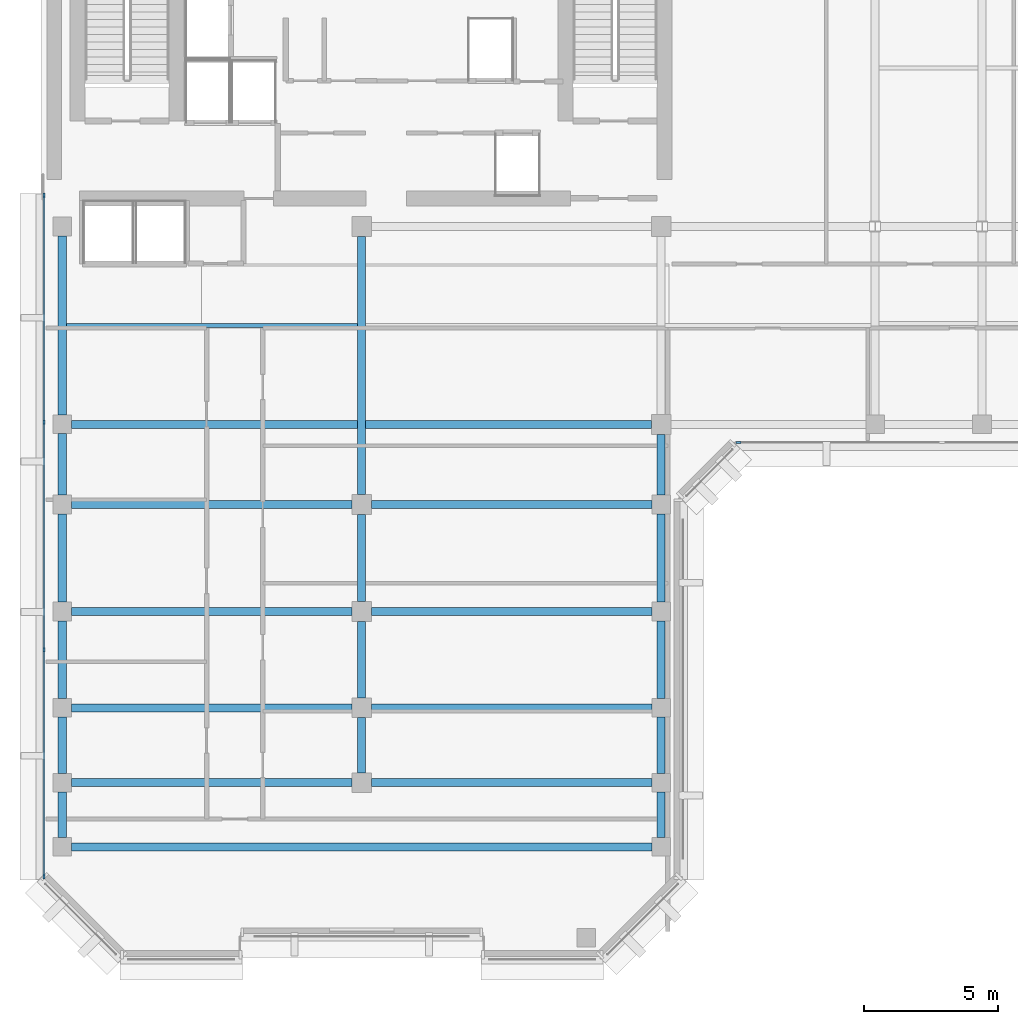
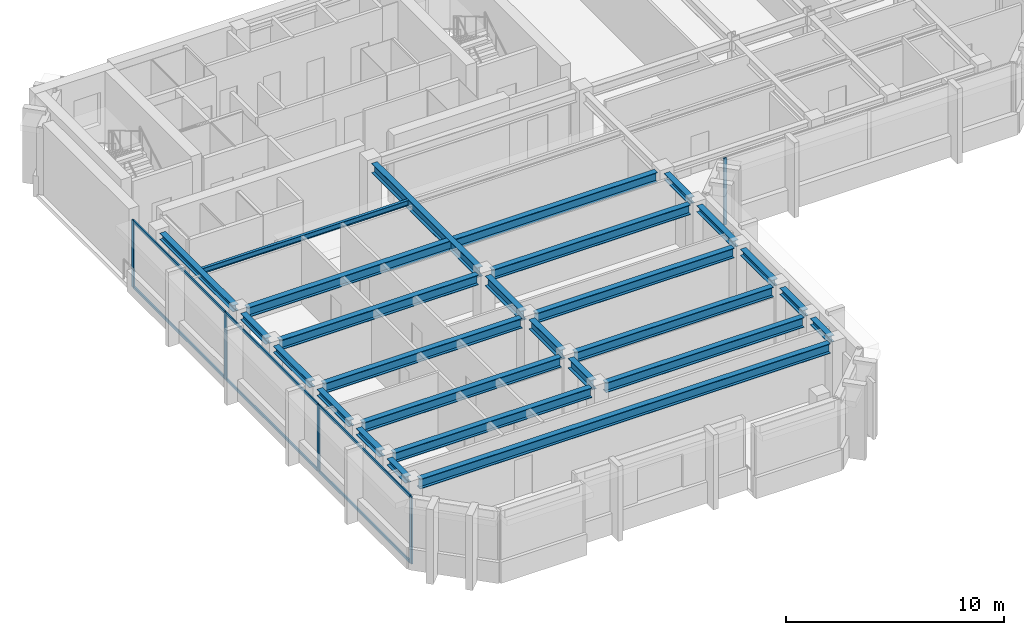
# One storey, part 2 of 12: 26 beams, 11 members, 2 elements without a shape of their own.
"""IFC4 building model written with IfcOpenShell, lengths in metres."""

from ifc_helpers import new_model, si_unit, direction, frame, origin, origin_2d, place, context, subcontext, project, spatial, rectangle, i_section, extrude, material, layer, layer_set, material_profile, profile_set, type_object, element, aggregate, save


model = new_model("IFC4")

# Units and contexts
model_context = context("Model", 3, precision=1e-05, world=origin(), true_north=direction((0.0, 1.0)))
body_context = subcontext(model_context, "Body", "Model", "MODEL_VIEW")
ifc_project = project(units=[si_unit("LENGTHUNIT", "METRE"), si_unit("AREAUNIT", "SQUARE_METRE"), si_unit("VOLUMEUNIT", "CUBIC_METRE"), si_unit("PLANEANGLEUNIT", "RADIAN"), si_unit("MASSUNIT", "GRAM", prefix="KILO")], contexts=[model_context])

# Site, building, storey
site_placement = place(None, origin())
site = spatial("IfcSite", under=ifc_project, at=site_placement, CompositionType="ELEMENT")
building_placement = place(site_placement, origin())
building = spatial("IfcBuilding", under=site, at=building_placement, Name="Kefirva Bronze Tower", CompositionType="ELEMENT")
storey_placement = place(building_placement, frame((0.0, 0.0, 296.010009765625)))
storey = spatial("IfcBuildingStorey", under=building, at=storey_placement, Name="L72", CompositionType="ELEMENT", Elevation=296.010009765625)

# Curtain wall, member
ifc_material_1 = material(Name="Bronze anodised aluminium", Category="aluminium")
ifc_layer = layer(ifc_material_1, 0.179931640625, Name="Bronze anodised aluminium")
ifc_layer_set = layer_set([ifc_layer], Name="Bronze anodised aluminium")
curtain_wall_type = type_object("IfcCurtainWallType", Name="Unitised Bronze Ribbon Curtain Wall Zone 4", PredefinedType="USERDEFINED", material=ifc_layer_set)
curtain_wall_1_placement = place(storey_placement, origin())
curtain_wall_1 = element("IfcCurtainWall", 1, at=curtain_wall_1_placement, inside=storey, type_object=curtain_wall_type, Name="L72 Curtain Wall 1", ObjectType="UNITISED CURTAIN WALL", PredefinedType="USERDEFINED")
ifc_material_profile_1 = material_profile(ifc_material_1, rectangle(XDim=0.074951171875, YDim=0.179931640625, at=origin_2d()), Name="ALU 75x180")
ifc_profile_set_1 = profile_set([ifc_material_profile_1], Name="Bronze anodised aluminium")
member_type_1 = type_object("IfcMemberType", Name="Bronze Mullion 75x180", PredefinedType="MULLION", material=ifc_profile_set_1)
member_1_placement = place(storey_placement, frame((26.092529296875, 25.1201171875, 0.0), z_axis=(0.0, 0.0, 1.0), x_axis=(0.0, 1.0, 0.0)))
member_1 = element("IfcMember", 2, at=member_1_placement, type_object=member_type_1, Name="CW-04 mullion 1", PredefinedType="MULLION", context=body_context, shape_type="SweptSolid", body=[
    extrude(rectangle(XDim=0.074951171875, YDim=0.179931640625, at=origin_2d()), origin(), (0.0, 0.0, 1.0), 3.739990234375),
])
aggregate(curtain_wall_1, [member_1])

# Curtain wall, members
curtain_wall_2_placement = place(storey_placement, origin())
curtain_wall_2 = element("IfcCurtainWall", 3, at=curtain_wall_2_placement, inside=storey, type_object=curtain_wall_type, Name="L72 Curtain Wall 4", ObjectType="UNITISED CURTAIN WALL", PredefinedType="USERDEFINED")
member_2_placement = place(storey_placement, frame((0.1201171875, 34.357421875, 0.0), z_axis=(0.0, 0.0, 1.0), x_axis=(1.0, 0.0, 0.0)))
member_2 = element("IfcMember", 4, at=member_2_placement, type_object=member_type_1, Name="CW-04 mullion 1", PredefinedType="MULLION", context=body_context, shape_type="SweptSolid", body=[
    extrude(rectangle(XDim=0.074951171875, YDim=0.179931640625, at=origin_2d()), origin(), (0.0, 0.0, 1.0), 3.739990234375),
])
member_3_placement = place(storey_placement, frame((0.1201171875, 25.881591796875, 0.0), z_axis=(0.0, 0.0, 1.0), x_axis=(1.0, 0.0, 0.0)))
member_3 = element("IfcMember", 5, at=member_3_placement, type_object=member_type_1, Name="CW-04 mullion 2", PredefinedType="MULLION", context=body_context, shape_type="SweptSolid", body=[
    extrude(rectangle(XDim=0.074951171875, YDim=0.179931640625, at=origin_2d()), origin(), (0.0, 0.0, 1.0), 3.739990234375),
])
member_4_placement = place(storey_placement, frame((0.1201171875, 17.368408203125, 0.0), z_axis=(0.0, 0.0, 1.0), x_axis=(1.0, 0.0, 0.0)))
member_4 = element("IfcMember", 6, at=member_4_placement, type_object=member_type_1, Name="CW-04 mullion 3", PredefinedType="MULLION", context=body_context, shape_type="SweptSolid", body=[
    extrude(rectangle(XDim=0.074951171875, YDim=0.179931640625, at=origin_2d()), origin(), (0.0, 0.0, 1.0), 3.739990234375),
])
member_5_placement = place(storey_placement, frame((0.1201171875, 8.892578125, 0.0), z_axis=(0.0, 0.0, 1.0), x_axis=(1.0, 0.0, 0.0)))
member_5 = element("IfcMember", 7, at=member_5_placement, type_object=member_type_1, Name="CW-04 mullion 4", PredefinedType="MULLION", context=body_context, shape_type="SweptSolid", body=[
    extrude(rectangle(XDim=0.074951171875, YDim=0.179931640625, at=origin_2d()), origin(), (0.0, 0.0, 1.0), 3.739990234375),
])
ifc_material_profile_2 = material_profile(ifc_material_1, rectangle(XDim=0.074951171875, YDim=0.14990234375, at=origin_2d()), Name="ALU 75x150")
ifc_profile_set_2 = profile_set([ifc_material_profile_2], Name="Bronze anodised aluminium")
member_type_2 = type_object("IfcMemberType", Name="Bronze Transom 75x150", PredefinedType="USERDEFINED", material=ifc_profile_set_2)
member_6_placement = place(storey_placement, frame((0.1201171875, 34.320068359375, 0.03759765625), z_axis=(0.0, -1.0, 0.0), x_axis=(1.0, 0.0, 0.0)))
member_6 = element("IfcMember", 8, at=member_6_placement, type_object=member_type_2, Name="CW-04 transom 1.1", ObjectType="TRANSOM", PredefinedType="USERDEFINED", context=body_context, shape_type="SweptSolid", body=[
    extrude(rectangle(XDim=0.074951171875, YDim=0.14990234375, at=origin_2d()), origin(), (0.0, 0.0, 1.0), 8.40087890625),
])
member_7_placement = place(storey_placement, frame((0.1201171875, 34.320068359375, 3.702392578125), z_axis=(0.0, -1.0, 0.0), x_axis=(1.0, 0.0, 0.0)))
member_7 = element("IfcMember", 9, at=member_7_placement, type_object=member_type_2, Name="CW-04 transom 1.2", ObjectType="TRANSOM", PredefinedType="USERDEFINED", context=body_context, shape_type="SweptSolid", body=[
    extrude(rectangle(XDim=0.074951171875, YDim=0.14990234375, at=origin_2d()), origin(), (0.0, 0.0, 1.0), 8.40087890625),
])
member_8_placement = place(storey_placement, frame((0.1201171875, 25.84423828125, 0.03759765625), z_axis=(0.0, -1.0, 0.0), x_axis=(1.0, 0.0, 0.0)))
member_8 = element("IfcMember", 10, at=member_8_placement, type_object=member_type_2, Name="CW-04 transom 2.1", ObjectType="TRANSOM", PredefinedType="USERDEFINED", context=body_context, shape_type="SweptSolid", body=[
    extrude(rectangle(XDim=0.074951171875, YDim=0.14990234375, at=origin_2d()), origin(), (0.0, 0.0, 1.0), 8.4384765625),
])
member_9_placement = place(storey_placement, frame((0.1201171875, 25.84423828125, 3.702392578125), z_axis=(0.0, -1.0, 0.0), x_axis=(1.0, 0.0, 0.0)))
member_9 = element("IfcMember", 11, at=member_9_placement, type_object=member_type_2, Name="CW-04 transom 2.2", ObjectType="TRANSOM", PredefinedType="USERDEFINED", context=body_context, shape_type="SweptSolid", body=[
    extrude(rectangle(XDim=0.074951171875, YDim=0.14990234375, at=origin_2d()), origin(), (0.0, 0.0, 1.0), 8.4384765625),
])
member_10_placement = place(storey_placement, frame((0.1201171875, 17.330810546875, 0.03759765625), z_axis=(0.0, -1.0, 0.0), x_axis=(1.0, 0.0, 0.0)))
member_10 = element("IfcMember", 12, at=member_10_placement, type_object=member_type_2, Name="CW-04 transom 3.1", ObjectType="TRANSOM", PredefinedType="USERDEFINED", context=body_context, shape_type="SweptSolid", body=[
    extrude(rectangle(XDim=0.074951171875, YDim=0.14990234375, at=origin_2d()), origin(), (0.0, 0.0, 1.0), 8.40087890625),
])
member_11_placement = place(storey_placement, frame((0.1201171875, 17.330810546875, 3.702392578125), z_axis=(0.0, -1.0, 0.0), x_axis=(1.0, 0.0, 0.0)))
member_11 = element("IfcMember", 13, at=member_11_placement, type_object=member_type_2, Name="CW-04 transom 3.2", ObjectType="TRANSOM", PredefinedType="USERDEFINED", context=body_context, shape_type="SweptSolid", body=[
    extrude(rectangle(XDim=0.074951171875, YDim=0.14990234375, at=origin_2d()), origin(), (0.0, 0.0, 1.0), 8.40087890625),
])
aggregate(curtain_wall_2, [member_2, member_3, member_4, member_5, member_6, member_7, member_8, member_9, member_10, member_11])

# Beams
ifc_material_2 = material(Name="Steel S355", Category="steel")
ifc_material_profile_3 = material_profile(ifc_material_2, i_section(OverallWidth=0.14990234375, OverallDepth=0.300048828125, WebThickness=0.007080078125, FlangeThickness=0.0107421875, at=origin_2d()), Name="IPE 300")
ifc_profile_set_3 = profile_set([ifc_material_profile_3], Name="Steel S355")
beam_type_1 = type_object("IfcBeamType", Name="Steel Floor Joist IPE 300", PredefinedType="JOIST", material=ifc_profile_set_3)
beam_1_placement = place(storey_placement, frame((0.949951171875, 29.489990234375, 3.590087890625), z_axis=(1.0, 0.0, 0.0), x_axis=(0.0, 1.0, 0.0)))
element("IfcBeam", 14, at=beam_1_placement, inside=storey, type_object=beam_type_1, Name="L72 JST-L72-0-294", PredefinedType="JOIST", context=body_context, shape_type="SweptSolid", body=[
    extrude(i_section(OverallWidth=0.14990234375, OverallDepth=0.300048828125, WebThickness=0.007080078125, FlangeThickness=0.0107421875, at=origin_2d()), origin(), (0.0, 0.0, 1.0), 10.900146484375),
])
ifc_material_profile_4 = material_profile(ifc_material_2, i_section(OverallWidth=0.300048828125, OverallDepth=0.550048828125, WebThickness=0.014892578125, FlangeThickness=0.029052734375, at=origin_2d()), Name="HEB 550")
ifc_profile_set_4 = profile_set([ifc_material_profile_4], Name="Steel S355")
beam_type_2 = type_object("IfcBeamType", Name="Steel Girder HEB 550", PredefinedType="USERDEFINED", material=ifc_profile_set_4)
beam_2_placement = place(storey_placement, frame((1.14990234375, 10.0, 3.465087890625), z_axis=(1.0, 0.0, 0.0), x_axis=(0.0, 1.0, 0.0)))
element("IfcBeam", 15, at=beam_2_placement, inside=storey, type_object=beam_type_2, Name="L72 BM-L72-EW-0-100", ObjectType="GIRDER", PredefinedType="USERDEFINED", context=body_context, shape_type="SweptSolid", body=[
    extrude(i_section(OverallWidth=0.300048828125, OverallDepth=0.550048828125, WebThickness=0.014892578125, FlangeThickness=0.029052734375, at=origin_2d()), origin(), (0.0, 0.0, 1.0), 21.7001953125),
])
for number, where, z_axis, x_axis, name in (
    (16, (1.14990234375, 12.39990234375, 3.465087890625), (1.0, 0.0, 0.0), (0.0, 1.0, 0.0), "L72 BM-L72-EW-0-124"),
    (17, (12.3701171875, 12.39990234375, 3.465087890625), (1.0, 0.0, 0.0), (0.0, 1.0, 0.0), "L72 BM-L72-EW-12-124"),
    (18, (1.14990234375, 15.199951171875, 3.465087890625), (1.0, 0.0, 0.0), (0.0, 1.0, 0.0), "L72 BM-L72-EW-0-152"),
    (19, (12.3701171875, 15.199951171875, 3.465087890625), (1.0, 0.0, 0.0), (0.0, 1.0, 0.0), "L72 BM-L72-EW-12-152"),
    (20, (1.14990234375, 18.800048828125, 3.465087890625), (1.0, 0.0, 0.0), (0.0, 1.0, 0.0), "L72 BM-L72-EW-0-188"),
    (21, (12.3701171875, 18.800048828125, 3.465087890625), (1.0, 0.0, 0.0), (0.0, 1.0, 0.0), "L72 BM-L72-EW-12-188"),
    (22, (1.14990234375, 22.800048828125, 3.465087890625), (1.0, 0.0, 0.0), (0.0, 1.0, 0.0), "L72 BM-L72-EW-0-228"),
    (23, (12.3701171875, 22.800048828125, 3.465087890625), (1.0, 0.0, 0.0), (0.0, 1.0, 0.0), "L72 BM-L72-EW-12-228"),
):
    element("IfcBeam", number, at=place(storey_placement, frame(where, z_axis=z_axis, x_axis=x_axis)), inside=storey, type_object=beam_type_2, Name=name, ObjectType="GIRDER", PredefinedType="USERDEFINED", context=body_context, shape_type="SweptSolid", body=[
        extrude(i_section(OverallWidth=0.300048828125, OverallDepth=0.550048828125, WebThickness=0.014892578125, FlangeThickness=0.029052734375, at=origin_2d()), origin(), (0.0, 0.0, 1.0), 10.47998046875),
    ])
beam_3_placement = place(storey_placement, frame((1.14990234375, 25.800048828125, 3.465087890625), z_axis=(1.0, 0.0, 0.0), x_axis=(0.0, 1.0, 0.0)))
element("IfcBeam", 24, at=beam_3_placement, inside=storey, type_object=beam_type_2, Name="L72 BM-L72-EW-0-258", ObjectType="GIRDER", PredefinedType="USERDEFINED", context=body_context, shape_type="SweptSolid", body=[
    extrude(i_section(OverallWidth=0.300048828125, OverallDepth=0.550048828125, WebThickness=0.014892578125, FlangeThickness=0.029052734375, at=origin_2d()), origin(), (0.0, 0.0, 1.0), 21.68017578125),
])
beam_4_placement = place(storey_placement, frame((12.0, 12.77001953125, 3.465087890625), z_axis=(0.0, 1.0, 0.0), x_axis=(-1.0, 0.0, 0.0)))
element("IfcBeam", 25, at=beam_4_placement, inside=storey, type_object=beam_type_2, Name="L72 BM-L72-NS-120-12", ObjectType="GIRDER", PredefinedType="USERDEFINED", context=body_context, shape_type="SweptSolid", body=[
    extrude(i_section(OverallWidth=0.300048828125, OverallDepth=0.550048828125, WebThickness=0.014892578125, FlangeThickness=0.029052734375, at=origin_2d()), origin(), (0.0, 0.0, 1.0), 2.06005859375),
])
beam_5_placement = place(storey_placement, frame((12.0, 15.570068359375, 3.465087890625), z_axis=(0.0, 1.0, 0.0), x_axis=(-1.0, 0.0, 0.0)))
element("IfcBeam", 26, at=beam_5_placement, inside=storey, type_object=beam_type_2, Name="L72 BM-L72-NS-120-15", ObjectType="GIRDER", PredefinedType="USERDEFINED", context=body_context, shape_type="SweptSolid", body=[
    extrude(i_section(OverallWidth=0.300048828125, OverallDepth=0.550048828125, WebThickness=0.014892578125, FlangeThickness=0.029052734375, at=origin_2d()), origin(), (0.0, 0.0, 1.0), 2.85986328125),
])
beam_6_placement = place(storey_placement, frame((12.0, 19.169921875, 3.465087890625), z_axis=(0.0, 1.0, 0.0), x_axis=(-1.0, 0.0, 0.0)))
element("IfcBeam", 27, at=beam_6_placement, inside=storey, type_object=beam_type_2, Name="L72 BM-L72-NS-120-18", ObjectType="GIRDER", PredefinedType="USERDEFINED", context=body_context, shape_type="SweptSolid", body=[
    extrude(i_section(OverallWidth=0.300048828125, OverallDepth=0.550048828125, WebThickness=0.014892578125, FlangeThickness=0.029052734375, at=origin_2d()), origin(), (0.0, 0.0, 1.0), 3.260009765625),
])
beam_7_placement = place(storey_placement, frame((12.0, 23.169921875, 3.465087890625), z_axis=(0.0, 1.0, 0.0), x_axis=(-1.0, 0.0, 0.0)))
element("IfcBeam", 28, at=beam_7_placement, inside=storey, type_object=beam_type_2, Name="L72 BM-L72-NS-120-22", ObjectType="GIRDER", PredefinedType="USERDEFINED", context=body_context, shape_type="SweptSolid", body=[
    extrude(i_section(OverallWidth=0.300048828125, OverallDepth=0.550048828125, WebThickness=0.014892578125, FlangeThickness=0.029052734375, at=origin_2d()), origin(), (0.0, 0.0, 1.0), 9.66015625),
])
ifc_material_profile_5 = material_profile(ifc_material_2, i_section(OverallWidth=0.300048828125, OverallDepth=0.360107421875, WebThickness=0.012451171875, FlangeThickness=0.0224609375, at=origin_2d()), Name="HEB 360")
ifc_profile_set_5 = profile_set([ifc_material_profile_5], Name="Steel S355")
beam_type_3 = type_object("IfcBeamType", Name="Steel Spandrel HEB 360 Ext", PredefinedType="SPANDREL", material=ifc_profile_set_5)
beam_8_placement = place(storey_placement, frame((0.800048828125, 10.35009765625, 3.56005859375), z_axis=(0.0, 1.0, 0.0), x_axis=(-1.0, 0.0, 0.0)))
element("IfcBeam", 29, at=beam_8_placement, inside=storey, type_object=beam_type_3, Name="L72 BM-L72-NS-8-10", PredefinedType="SPANDREL", context=body_context, shape_type="SweptSolid", body=[
    extrude(i_section(OverallWidth=0.300048828125, OverallDepth=0.360107421875, WebThickness=0.012451171875, FlangeThickness=0.0224609375, at=origin_2d()), origin(), (0.0, 0.0, 1.0), 1.699951171875),
])
beam_9_placement = place(storey_placement, frame((0.800048828125, 12.75, 3.56005859375), z_axis=(0.0, 1.0, 0.0), x_axis=(-1.0, 0.0, 0.0)))
element("IfcBeam", 30, at=beam_9_placement, inside=storey, type_object=beam_type_3, Name="L72 BM-L72-NS-8-12", PredefinedType="SPANDREL", context=body_context, shape_type="SweptSolid", body=[
    extrude(i_section(OverallWidth=0.300048828125, OverallDepth=0.360107421875, WebThickness=0.012451171875, FlangeThickness=0.0224609375, at=origin_2d()), origin(), (0.0, 0.0, 1.0), 2.10009765625),
])
beam_10_placement = place(storey_placement, frame((0.800048828125, 15.550048828125, 3.56005859375), z_axis=(0.0, 1.0, 0.0), x_axis=(-1.0, 0.0, 0.0)))
element("IfcBeam", 31, at=beam_10_placement, inside=storey, type_object=beam_type_3, Name="L72 BM-L72-NS-8-15", PredefinedType="SPANDREL", context=body_context, shape_type="SweptSolid", body=[
    extrude(i_section(OverallWidth=0.300048828125, OverallDepth=0.360107421875, WebThickness=0.012451171875, FlangeThickness=0.0224609375, at=origin_2d()), origin(), (0.0, 0.0, 1.0), 2.89990234375),
])
beam_11_placement = place(storey_placement, frame((0.800048828125, 19.14990234375, 3.56005859375), z_axis=(0.0, 1.0, 0.0), x_axis=(-1.0, 0.0, 0.0)))
element("IfcBeam", 32, at=beam_11_placement, inside=storey, type_object=beam_type_3, Name="L72 BM-L72-NS-8-18", PredefinedType="SPANDREL", context=body_context, shape_type="SweptSolid", body=[
    extrude(i_section(OverallWidth=0.300048828125, OverallDepth=0.360107421875, WebThickness=0.012451171875, FlangeThickness=0.0224609375, at=origin_2d()), origin(), (0.0, 0.0, 1.0), 3.300048828125),
])
beam_12_placement = place(storey_placement, frame((0.800048828125, 23.14990234375, 3.56005859375), z_axis=(0.0, 1.0, 0.0), x_axis=(-1.0, 0.0, 0.0)))
element("IfcBeam", 33, at=beam_12_placement, inside=storey, type_object=beam_type_3, Name="L72 BM-L72-NS-8-22", PredefinedType="SPANDREL", context=body_context, shape_type="SweptSolid", body=[
    extrude(i_section(OverallWidth=0.300048828125, OverallDepth=0.360107421875, WebThickness=0.012451171875, FlangeThickness=0.0224609375, at=origin_2d()), origin(), (0.0, 0.0, 1.0), 2.300048828125),
])
beam_13_placement = place(storey_placement, frame((0.800048828125, 26.14990234375, 3.56005859375), z_axis=(0.0, 1.0, 0.0), x_axis=(-1.0, 0.0, 0.0)))
element("IfcBeam", 34, at=beam_13_placement, inside=storey, type_object=beam_type_3, Name="L72 BM-L72-NS-8-25", PredefinedType="SPANDREL", context=body_context, shape_type="SweptSolid", body=[
    extrude(i_section(OverallWidth=0.300048828125, OverallDepth=0.360107421875, WebThickness=0.012451171875, FlangeThickness=0.0224609375, at=origin_2d()), origin(), (0.0, 0.0, 1.0), 6.7001953125),
])
beam_14_placement = place(storey_placement, frame((23.199951171875, 10.35009765625, 3.56005859375), z_axis=(0.0, 1.0, 0.0), x_axis=(-1.0, 0.0, 0.0)))
element("IfcBeam", 35, at=beam_14_placement, inside=storey, type_object=beam_type_3, Name="L72 BM-L72-NS-232-10", PredefinedType="SPANDREL", context=body_context, shape_type="SweptSolid", body=[
    extrude(i_section(OverallWidth=0.300048828125, OverallDepth=0.360107421875, WebThickness=0.012451171875, FlangeThickness=0.0224609375, at=origin_2d()), origin(), (0.0, 0.0, 1.0), 1.699951171875),
])
beam_15_placement = place(storey_placement, frame((23.199951171875, 12.75, 3.56005859375), z_axis=(0.0, 1.0, 0.0), x_axis=(-1.0, 0.0, 0.0)))
element("IfcBeam", 36, at=beam_15_placement, inside=storey, type_object=beam_type_3, Name="L72 BM-L72-NS-232-12", PredefinedType="SPANDREL", context=body_context, shape_type="SweptSolid", body=[
    extrude(i_section(OverallWidth=0.300048828125, OverallDepth=0.360107421875, WebThickness=0.012451171875, FlangeThickness=0.0224609375, at=origin_2d()), origin(), (0.0, 0.0, 1.0), 2.10009765625),
])
beam_16_placement = place(storey_placement, frame((23.199951171875, 15.550048828125, 3.56005859375), z_axis=(0.0, 1.0, 0.0), x_axis=(-1.0, 0.0, 0.0)))
element("IfcBeam", 37, at=beam_16_placement, inside=storey, type_object=beam_type_3, Name="L72 BM-L72-NS-232-15", PredefinedType="SPANDREL", context=body_context, shape_type="SweptSolid", body=[
    extrude(i_section(OverallWidth=0.300048828125, OverallDepth=0.360107421875, WebThickness=0.012451171875, FlangeThickness=0.0224609375, at=origin_2d()), origin(), (0.0, 0.0, 1.0), 2.89990234375),
])
beam_17_placement = place(storey_placement, frame((23.199951171875, 19.14990234375, 3.56005859375), z_axis=(0.0, 1.0, 0.0), x_axis=(-1.0, 0.0, 0.0)))
element("IfcBeam", 38, at=beam_17_placement, inside=storey, type_object=beam_type_3, Name="L72 BM-L72-NS-232-18", PredefinedType="SPANDREL", context=body_context, shape_type="SweptSolid", body=[
    extrude(i_section(OverallWidth=0.300048828125, OverallDepth=0.360107421875, WebThickness=0.012451171875, FlangeThickness=0.0224609375, at=origin_2d()), origin(), (0.0, 0.0, 1.0), 3.300048828125),
])
beam_18_placement = place(storey_placement, frame((23.199951171875, 23.14990234375, 3.56005859375), z_axis=(0.0, 1.0, 0.0), x_axis=(-1.0, 0.0, 0.0)))
element("IfcBeam", 39, at=beam_18_placement, inside=storey, type_object=beam_type_3, Name="L72 BM-L72-NS-232-22", PredefinedType="SPANDREL", context=body_context, shape_type="SweptSolid", body=[
    extrude(i_section(OverallWidth=0.300048828125, OverallDepth=0.360107421875, WebThickness=0.012451171875, FlangeThickness=0.0224609375, at=origin_2d()), origin(), (0.0, 0.0, 1.0), 2.280029296875),
])

save(model, "model.ifc")
